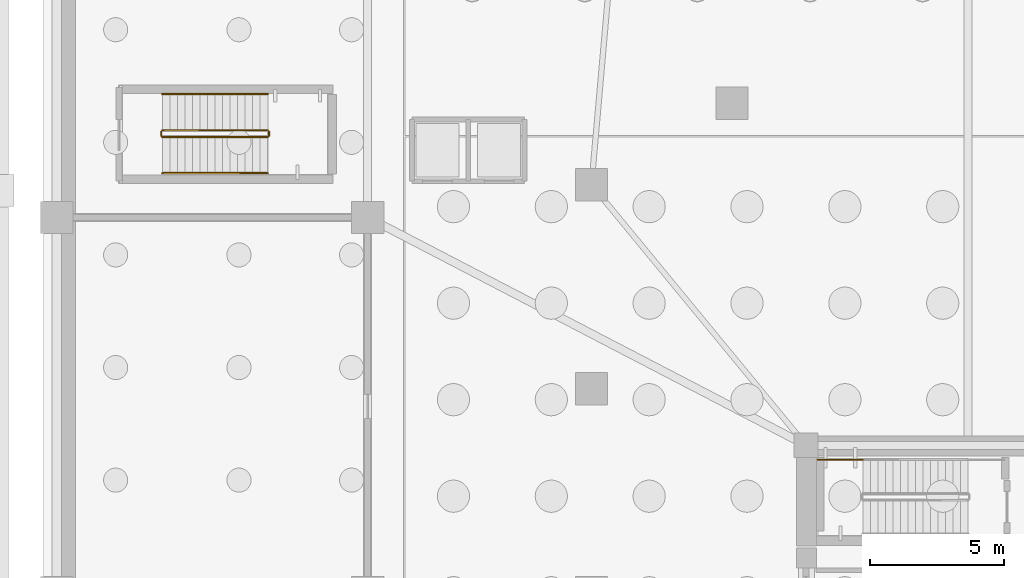
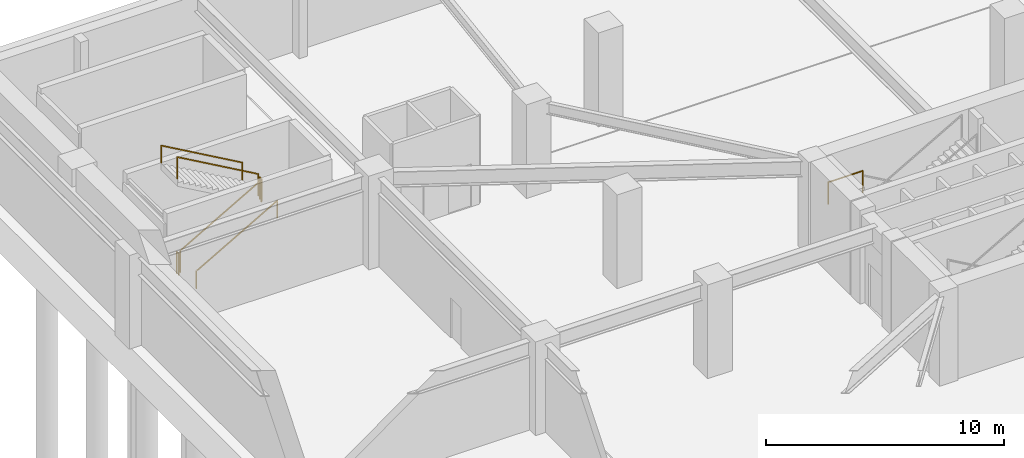
# One storey, part 11 of 14: 7 railings.
"""IFC4 building model written with IfcOpenShell, lengths in metres."""

from ifc_helpers import new_model, si_unit, direction, frame, origin, origin_2d, place, context, subcontext, project, spatial, rectangle, extrude, material, type_object, element, save


model = new_model("IFC4")

# Units and contexts
model_context = context("Model", 3, precision=1e-05, world=origin(), true_north=direction((0.0, 1.0)))
body_context = subcontext(model_context, "Body", "Model", "MODEL_VIEW")
ifc_project = project(units=[si_unit("LENGTHUNIT", "METRE"), si_unit("AREAUNIT", "SQUARE_METRE"), si_unit("VOLUMEUNIT", "CUBIC_METRE"), si_unit("PLANEANGLEUNIT", "RADIAN"), si_unit("MASSUNIT", "GRAM", prefix="KILO")], contexts=[model_context])

# Site, building, storey
site_placement = place(None, origin())
site = spatial("IfcSite", under=ifc_project, at=site_placement, CompositionType="ELEMENT")
building_placement = place(site_placement, origin())
building = spatial("IfcBuilding", under=site, at=building_placement, Name="Yunling Apex Tower", CompositionType="ELEMENT")
storey_placement = place(building_placement, frame((0.0, 0.0, -9.60009765625)))
storey = spatial("IfcBuildingStorey", under=building, at=storey_placement, Name="B02", CompositionType="ELEMENT", Elevation=-9.60009765625)

# Railings
ifc_material_1 = material(Name="Steel Q355B", Category="steel")
railing_type_1 = type_object("IfcRailingType", Name="RL-GRD-1150", PredefinedType="GUARDRAIL", material=ifc_material_1)
railing_1_placement = place(storey_placement, frame((-3.929931640625, 4.9599609375, 2.400146484375)))
element("IfcRailing", 1, at=railing_1_placement, inside=storey, type_object=railing_type_1, Name="B02 ST-1 stair guard 3", PredefinedType="GUARDRAIL", context=body_context, shape_type="SweptSolid", body=[
    extrude(rectangle(XDim=0.0439453125, YDim=0.0439453125, at=origin_2d()), origin(), (0.0, 0.0, 1.0), 1.14990234375),
    extrude(rectangle(XDim=0.0439453125, YDim=0.0439453125, at=origin_2d()), frame((-1.670166015625, 0.0, 0.0)), (0.0, 0.0, 1.0), 1.14990234375),
    extrude(rectangle(XDim=0.050048828125, YDim=0.050048828125, at=origin_2d()), frame((-0.038330078125, 0.0, 1.125), z_axis=(-1.0, 0.0, 0.0), x_axis=(0.0, -1.0, 0.0)), (0.0, 0.0, 1.0), 1.593505859375),
])
railing_2_placement = place(storey_placement, frame((-30.050048828125, 17.0, 0.16015625)))
element("IfcRailing", 2, at=railing_2_placement, inside=storey, type_object=railing_type_1, Name="B02 ST-P1 stair guard 1", PredefinedType="GUARDRAIL", context=body_context, shape_type="SweptSolid", body=[
    extrude(rectangle(XDim=0.0439453125, YDim=0.0439453125, at=origin_2d()), origin(), (0.0, 0.0, 1.0), 1.14990234375),
    extrude(rectangle(XDim=0.0439453125, YDim=0.0439453125, at=origin_2d()), frame((3.920166015625, 0.0, 2.239990234375)), (0.0, 0.0, 1.0), 1.14990234375),
    extrude(rectangle(XDim=0.050048828125, YDim=0.050048828125, at=origin_2d()), frame((0.033203125, 0.0, 1.143798828125), z_axis=(0.86825312469, 0.0, 0.496121468458), x_axis=(0.0, 1.0, 0.0)), (0.0, 0.0, 1.0), 4.438232421875),
])
railing_3_placement = place(storey_placement, frame((-26.080078125, 17.050048828125, 2.400146484375)))
element("IfcRailing", 3, at=railing_3_placement, inside=storey, type_object=railing_type_1, Name="B02 ST-P1 stair guard 2", PredefinedType="GUARDRAIL", context=body_context, shape_type="SweptSolid", body=[
    extrude(rectangle(XDim=0.0439453125, YDim=0.0439453125, at=origin_2d()), origin(), (0.0, 0.0, 1.0), 1.14990234375),
    extrude(rectangle(XDim=0.0439453125, YDim=0.0439453125, at=origin_2d()), frame((0.0, 0.14990234375, 0.0)), (0.0, 0.0, 1.0), 1.14990234375),
    extrude(rectangle(XDim=0.050048828125, YDim=0.050048828125, at=origin_2d()), frame((0.0, 0.038330078125, 1.125), z_axis=(0.0, 1.0, 0.0), x_axis=(-1.0, 0.0, 0.0)), (0.0, 0.0, 1.0), 0.0732421875),
])
railing_4_placement = place(storey_placement, frame((-26.1298828125, 17.25, 2.56005859375)))
element("IfcRailing", 4, at=railing_4_placement, inside=storey, type_object=railing_type_1, Name="B02 ST-P1 stair guard 3", PredefinedType="GUARDRAIL", context=body_context, shape_type="SweptSolid", body=[
    extrude(rectangle(XDim=0.0439453125, YDim=0.0439453125, at=origin_2d()), origin(), (0.0, 0.0, 1.0), 1.14990234375),
    extrude(rectangle(XDim=0.0439453125, YDim=0.0439453125, at=origin_2d()), frame((-3.920166015625, 0.0, 2.239990234375)), (0.0, 0.0, 1.0), 1.14990234375),
    extrude(rectangle(XDim=0.050048828125, YDim=0.050048828125, at=origin_2d()), frame((-0.033203125, 0.0, 1.143798828125), z_axis=(-0.86825312469, 0.0, 0.496121468458), x_axis=(0.0, -1.0, 0.0)), (0.0, 0.0, 1.0), 4.438232421875),
])
railing_5_placement = place(storey_placement, frame((-30.10009765625, 17.050048828125, 0.0)))
element("IfcRailing", 5, at=railing_5_placement, inside=storey, type_object=railing_type_1, Name="B02 ST-P1 stair guard 4", PredefinedType="GUARDRAIL", context=body_context, shape_type="SweptSolid", body=[
    extrude(rectangle(XDim=0.0439453125, YDim=0.0439453125, at=origin_2d()), origin(), (0.0, 0.0, 1.0), 1.14990234375),
    extrude(rectangle(XDim=0.0439453125, YDim=0.0439453125, at=origin_2d()), frame((0.0, 0.14990234375, 0.0)), (0.0, 0.0, 1.0), 1.14990234375),
    extrude(rectangle(XDim=0.050048828125, YDim=0.050048828125, at=origin_2d()), frame((0.0, 0.038330078125, 1.125), z_axis=(0.0, 1.0, 0.0), x_axis=(-1.0, 0.0, 0.0)), (0.0, 0.0, 1.0), 0.0732421875),
])
ifc_material_2 = material(Name="Silver anodised aluminium", Category="aluminium")
railing_type_2 = type_object("IfcRailingType", Name="RL-HND-900", PredefinedType="HANDRAIL", material=ifc_material_2)
railing_6_placement = place(storey_placement, frame((-30.050048828125, 15.64990234375, 0.16015625)))
element("IfcRailing", 6, at=railing_6_placement, inside=storey, type_object=railing_type_2, Name="B02 ST-P1 stair handrail 1", PredefinedType="HANDRAIL", context=body_context, shape_type="SweptSolid", body=[
    extrude(rectangle(XDim=0.0439453125, YDim=0.0439453125, at=origin_2d()), origin(), (0.0, 0.0, 1.0), 0.919921875),
    extrude(rectangle(XDim=0.0439453125, YDim=0.0439453125, at=origin_2d()), frame((3.920166015625, 0.0, 2.239990234375)), (0.0, 0.0, 1.0), 0.919921875),
    extrude(rectangle(XDim=0.050048828125, YDim=0.050048828125, at=origin_2d()), frame((0.033203125, 0.0, 0.913818359375), z_axis=(0.86825312469, 0.0, 0.496121468458), x_axis=(0.0, 1.0, 0.0)), (0.0, 0.0, 1.0), 4.438232421875),
])
railing_7_placement = place(storey_placement, frame((-26.1298828125, 18.60009765625, 2.56005859375)))
element("IfcRailing", 7, at=railing_7_placement, inside=storey, type_object=railing_type_2, Name="B02 ST-P1 stair handrail 2", PredefinedType="HANDRAIL", context=body_context, shape_type="SweptSolid", body=[
    extrude(rectangle(XDim=0.0439453125, YDim=0.0439453125, at=origin_2d()), origin(), (0.0, 0.0, 1.0), 0.919921875),
    extrude(rectangle(XDim=0.0439453125, YDim=0.0439453125, at=origin_2d()), frame((-3.920166015625, 0.0, 2.239990234375)), (0.0, 0.0, 1.0), 0.919921875),
    extrude(rectangle(XDim=0.050048828125, YDim=0.050048828125, at=origin_2d()), frame((-0.033203125, 0.0, 0.913818359375), z_axis=(-0.86825312469, 0.0, 0.496121468458), x_axis=(0.0, -1.0, 0.0)), (0.0, 0.0, 1.0), 4.438232421875),
])

save(model, "model.ifc")
